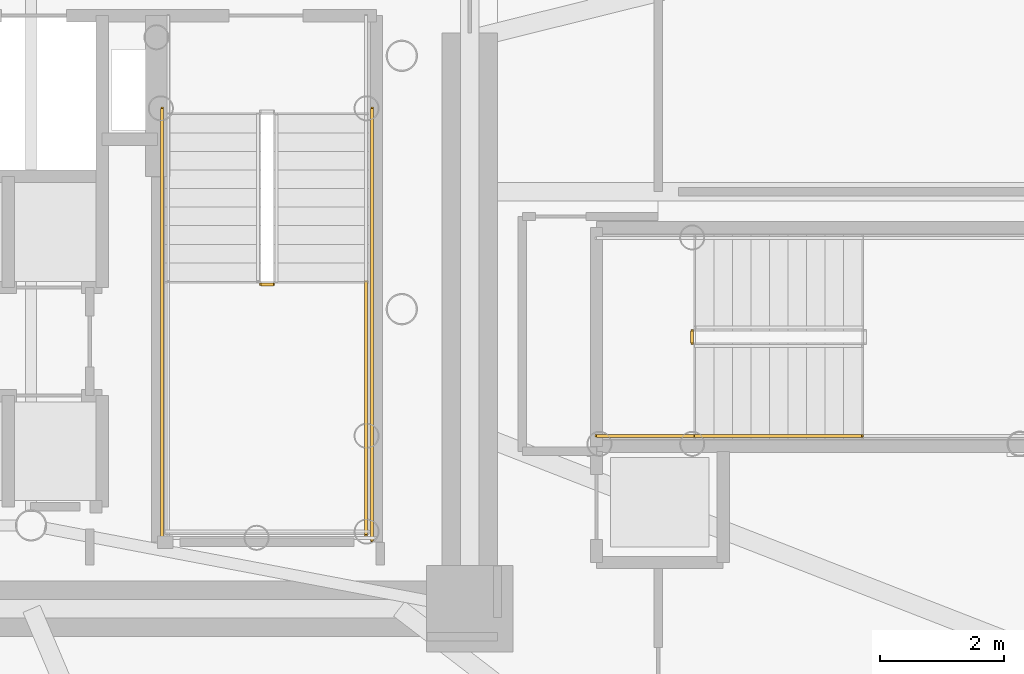
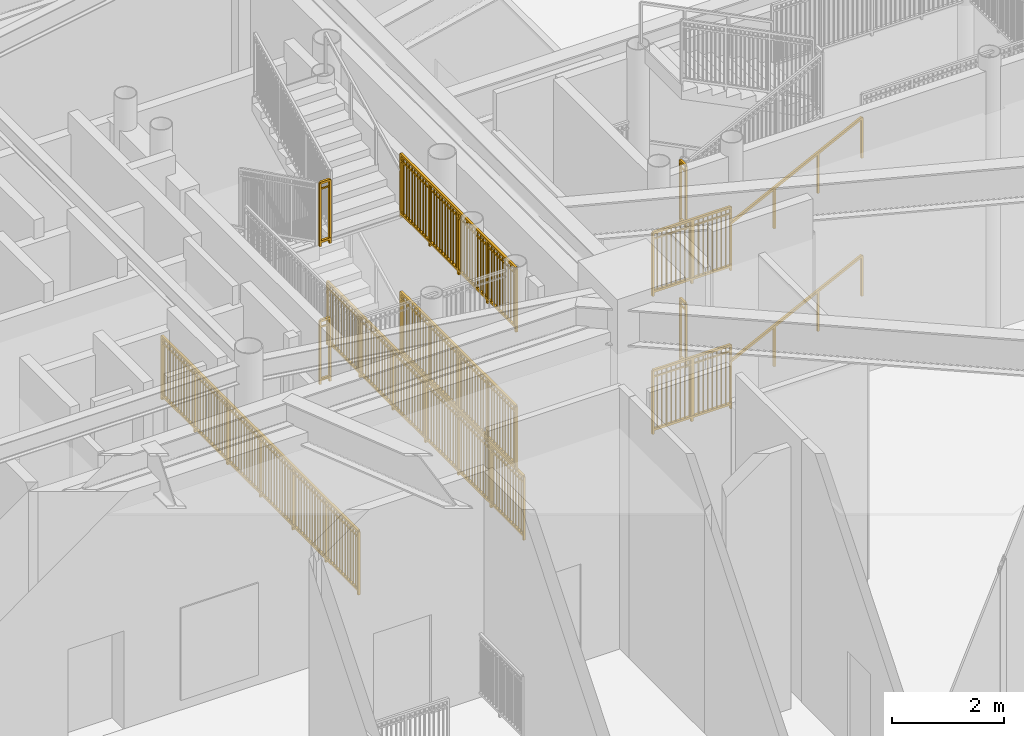
# One storey, part 41 of 46: 12 railings.
"""IFC4 building model written with IfcOpenShell, lengths in metres."""

from ifc_helpers import new_model, si_unit, direction, frame, origin, origin_2d, place, context, subcontext, project, spatial, rectangle, extrude, source, transform, mapped, material, type_object, element, save


model = new_model("IFC4")

# Units and contexts
model_context = context("Model", 3, precision=1e-05, world=origin(), true_north=direction((0.0, 1.0)))
body_context = subcontext(model_context, "Body", "Model", "MODEL_VIEW")
ifc_project = project(units=[si_unit("LENGTHUNIT", "METRE"), si_unit("AREAUNIT", "SQUARE_METRE"), si_unit("VOLUMEUNIT", "CUBIC_METRE"), si_unit("PLANEANGLEUNIT", "RADIAN"), si_unit("MASSUNIT", "GRAM", prefix="KILO")], contexts=[model_context])

# Site, building, storey
site_placement = place(None, origin())
site = spatial("IfcSite", under=ifc_project, at=site_placement, CompositionType="ELEMENT")
building_placement = place(site_placement, origin())
building = spatial("IfcBuilding", under=site, at=building_placement, Name="Linh Dai School and Residence Tower", CompositionType="ELEMENT")
storey_placement = place(building_placement, origin())
storey = spatial("IfcBuildingStorey", under=building, at=storey_placement, Name="L00", CompositionType="ELEMENT", Elevation=0.0)

# Railings
ifc_material_1 = material(Name="Structural Steel S355JR", Category="steel")
railing_type_1 = type_object("IfcRailingType", Name="RL-ST-GUARD-1400", PredefinedType="GUARDRAIL", material=ifc_material_1)
shared_shape_1 = source(origin(), body_context, "Body", "SweptSolid", [
    extrude(rectangle(XDim=0.048095703125, YDim=0.048095703125, at=origin_2d()), frame((0.0, 0.0, 1.3759765625), z_axis=(1.0, 0.0, 0.0), x_axis=(0.0, 1.0, 0.0)), (0.0, 0.0, 1.0), 0.199951171875),
    extrude(rectangle(XDim=0.048095703125, YDim=0.048095703125, at=origin_2d()), frame((0.0, 0.0, 0.10009765625), z_axis=(1.0, 0.0, 0.0), x_axis=(0.0, 1.0, 0.0)), (0.0, 0.0, 1.0), 0.199951171875),
    extrude(rectangle(XDim=0.030029296875, YDim=0.030029296875, at=origin_2d()), frame((0.0, 0.0, 1.239990234375), z_axis=(1.0, 0.0, 0.0), x_axis=(0.0, 1.0, 0.0)), (0.0, 0.0, 1.0), 0.199951171875),
    extrude(rectangle(XDim=0.0419921875, YDim=0.0419921875, at=origin_2d()), origin(), (0.0, 0.0, 1.0), 1.3759765625),
    extrude(rectangle(XDim=0.0419921875, YDim=0.0419921875, at=origin_2d()), frame((0.199951171875, 0.0, 0.0)), (0.0, 0.0, 1.0), 1.3759765625),
])
for number, where, name in (
    (1, (42.570068359375, 25.5, 1.5), "L00 ST2 stair guard 2"),
    (2, (42.570068359375, 25.5, 4.5), "L00 ST2 stair guard 11"),
):
    element("IfcRailing", number, at=place(storey_placement, frame(where)), inside=storey, type_object=railing_type_1, Name=name, PredefinedType="GUARDRAIL", context=body_context, shape_type="MappedRepresentation", body=[
        mapped(shared_shape_1, transform((0.0, 0.0, 0.0), x_axis=(1.0, 0.0, 0.0), y_axis=(0.0, 1.0, 0.0), z_axis=(0.0, 0.0, 1.0), scale=1.0)),
    ])
shared_shape_2 = source(origin(), body_context, "Body", "SweptSolid", [
    extrude(rectangle(XDim=0.048095703125, YDim=0.048095703125, at=origin_2d()), frame((0.0, 0.0, 1.3759765625), z_axis=(0.0, -1.0, 0.0), x_axis=(1.0, 0.0, 0.0)), (0.0, 0.0, 1.0), 7.0),
    extrude(rectangle(XDim=0.048095703125, YDim=0.048095703125, at=origin_2d()), frame((0.0, 0.0, 0.10009765625), z_axis=(0.0, -1.0, 0.0), x_axis=(1.0, 0.0, 0.0)), (0.0, 0.0, 1.0), 7.0),
    extrude(rectangle(XDim=0.030029296875, YDim=0.030029296875, at=origin_2d()), frame((0.0, 0.0, 1.239990234375), z_axis=(0.0, -1.0, 0.0), x_axis=(1.0, 0.0, 0.0)), (0.0, 0.0, 1.0), 7.0),
    extrude(rectangle(XDim=0.02001953125, YDim=0.02001953125, at=origin_2d()), frame((0.0, -0.09716796875, 0.10009765625)), (0.0, 0.0, 1.0), 1.251708984375),
    extrude(rectangle(XDim=0.02001953125, YDim=0.02001953125, at=origin_2d()), frame((0.0, -0.1943359375, 0.10009765625)), (0.0, 0.0, 1.0), 1.251708984375),
    extrude(rectangle(XDim=0.02001953125, YDim=0.02001953125, at=origin_2d()), frame((0.0, -0.291748046875, 0.10009765625)), (0.0, 0.0, 1.0), 1.251708984375),
    extrude(rectangle(XDim=0.02001953125, YDim=0.02001953125, at=origin_2d()), frame((0.0, -0.388916015625, 0.10009765625)), (0.0, 0.0, 1.0), 1.251708984375),
    extrude(rectangle(XDim=0.02001953125, YDim=0.02001953125, at=origin_2d()), frame((0.0, -0.486083984375, 0.10009765625)), (0.0, 0.0, 1.0), 1.251708984375),
    extrude(rectangle(XDim=0.02001953125, YDim=0.02001953125, at=origin_2d()), frame((0.0, -0.583251953125, 0.10009765625)), (0.0, 0.0, 1.0), 1.251708984375),
    extrude(rectangle(XDim=0.02001953125, YDim=0.02001953125, at=origin_2d()), frame((0.0, -0.6806640625, 0.10009765625)), (0.0, 0.0, 1.0), 1.251708984375),
    extrude(rectangle(XDim=0.02001953125, YDim=0.02001953125, at=origin_2d()), frame((0.0, -0.77783203125, 0.10009765625)), (0.0, 0.0, 1.0), 1.251708984375),
    extrude(rectangle(XDim=0.02001953125, YDim=0.02001953125, at=origin_2d()), frame((0.0, -0.875, 0.10009765625)), (0.0, 0.0, 1.0), 1.251708984375),
    extrude(rectangle(XDim=0.02001953125, YDim=0.02001953125, at=origin_2d()), frame((0.0, -0.97216796875, 0.10009765625)), (0.0, 0.0, 1.0), 1.251708984375),
    extrude(rectangle(XDim=0.02001953125, YDim=0.02001953125, at=origin_2d()), frame((0.0, -1.0693359375, 0.10009765625)), (0.0, 0.0, 1.0), 1.251708984375),
    extrude(rectangle(XDim=0.02001953125, YDim=0.02001953125, at=origin_2d()), frame((0.0, -1.263916015625, 0.10009765625)), (0.0, 0.0, 1.0), 1.251708984375),
    extrude(rectangle(XDim=0.02001953125, YDim=0.02001953125, at=origin_2d()), frame((0.0, -1.361083984375, 0.10009765625)), (0.0, 0.0, 1.0), 1.251708984375),
    extrude(rectangle(XDim=0.02001953125, YDim=0.02001953125, at=origin_2d()), frame((0.0, -1.458251953125, 0.10009765625)), (0.0, 0.0, 1.0), 1.251708984375),
    extrude(rectangle(XDim=0.02001953125, YDim=0.02001953125, at=origin_2d()), frame((0.0, -1.5556640625, 0.10009765625)), (0.0, 0.0, 1.0), 1.251708984375),
    extrude(rectangle(XDim=0.02001953125, YDim=0.02001953125, at=origin_2d()), frame((0.0, -1.65283203125, 0.10009765625)), (0.0, 0.0, 1.0), 1.251708984375),
    extrude(rectangle(XDim=0.02001953125, YDim=0.02001953125, at=origin_2d()), frame((0.0, -1.75, 0.10009765625)), (0.0, 0.0, 1.0), 1.251708984375),
    extrude(rectangle(XDim=0.02001953125, YDim=0.02001953125, at=origin_2d()), frame((0.0, -1.84716796875, 0.10009765625)), (0.0, 0.0, 1.0), 1.251708984375),
    extrude(rectangle(XDim=0.02001953125, YDim=0.02001953125, at=origin_2d()), frame((0.0, -1.9443359375, 0.10009765625)), (0.0, 0.0, 1.0), 1.251708984375),
    extrude(rectangle(XDim=0.02001953125, YDim=0.02001953125, at=origin_2d()), frame((0.0, -2.041748046875, 0.10009765625)), (0.0, 0.0, 1.0), 1.251708984375),
    extrude(rectangle(XDim=0.02001953125, YDim=0.02001953125, at=origin_2d()), frame((0.0, -2.138916015625, 0.10009765625)), (0.0, 0.0, 1.0), 1.251708984375),
    extrude(rectangle(XDim=0.02001953125, YDim=0.02001953125, at=origin_2d()), frame((0.0, -2.236083984375, 0.10009765625)), (0.0, 0.0, 1.0), 1.251708984375),
    extrude(rectangle(XDim=0.02001953125, YDim=0.02001953125, at=origin_2d()), frame((0.0, -2.4306640625, 0.10009765625)), (0.0, 0.0, 1.0), 1.251708984375),
    extrude(rectangle(XDim=0.02001953125, YDim=0.02001953125, at=origin_2d()), frame((0.0, -2.52783203125, 0.10009765625)), (0.0, 0.0, 1.0), 1.251708984375),
    extrude(rectangle(XDim=0.02001953125, YDim=0.02001953125, at=origin_2d()), frame((0.0, -2.625, 0.10009765625)), (0.0, 0.0, 1.0), 1.251708984375),
    extrude(rectangle(XDim=0.02001953125, YDim=0.02001953125, at=origin_2d()), frame((0.0, -2.72216796875, 0.10009765625)), (0.0, 0.0, 1.0), 1.251708984375),
    extrude(rectangle(XDim=0.02001953125, YDim=0.02001953125, at=origin_2d()), frame((0.0, -2.8193359375, 0.10009765625)), (0.0, 0.0, 1.0), 1.251708984375),
    extrude(rectangle(XDim=0.02001953125, YDim=0.02001953125, at=origin_2d()), frame((0.0, -2.916748046875, 0.10009765625)), (0.0, 0.0, 1.0), 1.251708984375),
    extrude(rectangle(XDim=0.02001953125, YDim=0.02001953125, at=origin_2d()), frame((0.0, -3.013916015625, 0.10009765625)), (0.0, 0.0, 1.0), 1.251708984375),
    extrude(rectangle(XDim=0.02001953125, YDim=0.02001953125, at=origin_2d()), frame((0.0, -3.111083984375, 0.10009765625)), (0.0, 0.0, 1.0), 1.251708984375),
    extrude(rectangle(XDim=0.02001953125, YDim=0.02001953125, at=origin_2d()), frame((0.0, -3.208251953125, 0.10009765625)), (0.0, 0.0, 1.0), 1.251708984375),
    extrude(rectangle(XDim=0.02001953125, YDim=0.02001953125, at=origin_2d()), frame((0.0, -3.3056640625, 0.10009765625)), (0.0, 0.0, 1.0), 1.251708984375),
    extrude(rectangle(XDim=0.02001953125, YDim=0.02001953125, at=origin_2d()), frame((0.0, -3.40283203125, 0.10009765625)), (0.0, 0.0, 1.0), 1.251708984375),
    extrude(rectangle(XDim=0.02001953125, YDim=0.02001953125, at=origin_2d()), frame((0.0, -3.59716796875, 0.10009765625)), (0.0, 0.0, 1.0), 1.251708984375),
    extrude(rectangle(XDim=0.02001953125, YDim=0.02001953125, at=origin_2d()), frame((0.0, -3.6943359375, 0.10009765625)), (0.0, 0.0, 1.0), 1.251708984375),
    extrude(rectangle(XDim=0.02001953125, YDim=0.02001953125, at=origin_2d()), frame((0.0, -3.791748046875, 0.10009765625)), (0.0, 0.0, 1.0), 1.251708984375),
    extrude(rectangle(XDim=0.02001953125, YDim=0.02001953125, at=origin_2d()), frame((0.0, -3.888916015625, 0.10009765625)), (0.0, 0.0, 1.0), 1.251708984375),
    extrude(rectangle(XDim=0.02001953125, YDim=0.02001953125, at=origin_2d()), frame((0.0, -3.986083984375, 0.10009765625)), (0.0, 0.0, 1.0), 1.251708984375),
    extrude(rectangle(XDim=0.02001953125, YDim=0.02001953125, at=origin_2d()), frame((0.0, -4.083251953125, 0.10009765625)), (0.0, 0.0, 1.0), 1.251708984375),
    extrude(rectangle(XDim=0.02001953125, YDim=0.02001953125, at=origin_2d()), frame((0.0, -4.1806640625, 0.10009765625)), (0.0, 0.0, 1.0), 1.251708984375),
    extrude(rectangle(XDim=0.02001953125, YDim=0.02001953125, at=origin_2d()), frame((0.0, -4.27783203125, 0.10009765625)), (0.0, 0.0, 1.0), 1.251708984375),
    extrude(rectangle(XDim=0.02001953125, YDim=0.02001953125, at=origin_2d()), frame((0.0, -4.375, 0.10009765625)), (0.0, 0.0, 1.0), 1.251708984375),
    extrude(rectangle(XDim=0.02001953125, YDim=0.02001953125, at=origin_2d()), frame((0.0, -4.47216796875, 0.10009765625)), (0.0, 0.0, 1.0), 1.251708984375),
    extrude(rectangle(XDim=0.02001953125, YDim=0.02001953125, at=origin_2d()), frame((0.0, -4.5693359375, 0.10009765625)), (0.0, 0.0, 1.0), 1.251708984375),
    extrude(rectangle(XDim=0.02001953125, YDim=0.02001953125, at=origin_2d()), frame((0.0, -4.763916015625, 0.10009765625)), (0.0, 0.0, 1.0), 1.251708984375),
    extrude(rectangle(XDim=0.02001953125, YDim=0.02001953125, at=origin_2d()), frame((0.0, -4.861083984375, 0.10009765625)), (0.0, 0.0, 1.0), 1.251708984375),
    extrude(rectangle(XDim=0.02001953125, YDim=0.02001953125, at=origin_2d()), frame((0.0, -4.958251953125, 0.10009765625)), (0.0, 0.0, 1.0), 1.251708984375),
    extrude(rectangle(XDim=0.02001953125, YDim=0.02001953125, at=origin_2d()), frame((0.0, -5.0556640625, 0.10009765625)), (0.0, 0.0, 1.0), 1.251708984375),
    extrude(rectangle(XDim=0.02001953125, YDim=0.02001953125, at=origin_2d()), frame((0.0, -5.15283203125, 0.10009765625)), (0.0, 0.0, 1.0), 1.251708984375),
    extrude(rectangle(XDim=0.02001953125, YDim=0.02001953125, at=origin_2d()), frame((0.0, -5.25, 0.10009765625)), (0.0, 0.0, 1.0), 1.251708984375),
    extrude(rectangle(XDim=0.02001953125, YDim=0.02001953125, at=origin_2d()), frame((0.0, -5.34716796875, 0.10009765625)), (0.0, 0.0, 1.0), 1.251708984375),
    extrude(rectangle(XDim=0.02001953125, YDim=0.02001953125, at=origin_2d()), frame((0.0, -5.4443359375, 0.10009765625)), (0.0, 0.0, 1.0), 1.251708984375),
    extrude(rectangle(XDim=0.02001953125, YDim=0.02001953125, at=origin_2d()), frame((0.0, -5.541748046875, 0.10009765625)), (0.0, 0.0, 1.0), 1.251708984375),
    extrude(rectangle(XDim=0.02001953125, YDim=0.02001953125, at=origin_2d()), frame((0.0, -5.638916015625, 0.10009765625)), (0.0, 0.0, 1.0), 1.251708984375),
    extrude(rectangle(XDim=0.02001953125, YDim=0.02001953125, at=origin_2d()), frame((0.0, -5.736083984375, 0.10009765625)), (0.0, 0.0, 1.0), 1.251708984375),
    extrude(rectangle(XDim=0.02001953125, YDim=0.02001953125, at=origin_2d()), frame((0.0, -5.9306640625, 0.10009765625)), (0.0, 0.0, 1.0), 1.251708984375),
    extrude(rectangle(XDim=0.02001953125, YDim=0.02001953125, at=origin_2d()), frame((0.0, -6.02783203125, 0.10009765625)), (0.0, 0.0, 1.0), 1.251708984375),
    extrude(rectangle(XDim=0.02001953125, YDim=0.02001953125, at=origin_2d()), frame((0.0, -6.125, 0.10009765625)), (0.0, 0.0, 1.0), 1.251708984375),
    extrude(rectangle(XDim=0.02001953125, YDim=0.02001953125, at=origin_2d()), frame((0.0, -6.22216796875, 0.10009765625)), (0.0, 0.0, 1.0), 1.251708984375),
    extrude(rectangle(XDim=0.02001953125, YDim=0.02001953125, at=origin_2d()), frame((0.0, -6.3193359375, 0.10009765625)), (0.0, 0.0, 1.0), 1.251708984375),
    extrude(rectangle(XDim=0.02001953125, YDim=0.02001953125, at=origin_2d()), frame((0.0, -6.416748046875, 0.10009765625)), (0.0, 0.0, 1.0), 1.251708984375),
    extrude(rectangle(XDim=0.02001953125, YDim=0.02001953125, at=origin_2d()), frame((0.0, -6.513916015625, 0.10009765625)), (0.0, 0.0, 1.0), 1.251708984375),
    extrude(rectangle(XDim=0.02001953125, YDim=0.02001953125, at=origin_2d()), frame((0.0, -6.611083984375, 0.10009765625)), (0.0, 0.0, 1.0), 1.251708984375),
    extrude(rectangle(XDim=0.02001953125, YDim=0.02001953125, at=origin_2d()), frame((0.0, -6.708251953125, 0.10009765625)), (0.0, 0.0, 1.0), 1.251708984375),
    extrude(rectangle(XDim=0.02001953125, YDim=0.02001953125, at=origin_2d()), frame((0.0, -6.8056640625, 0.10009765625)), (0.0, 0.0, 1.0), 1.251708984375),
    extrude(rectangle(XDim=0.02001953125, YDim=0.02001953125, at=origin_2d()), frame((0.0, -6.90283203125, 0.10009765625)), (0.0, 0.0, 1.0), 1.251708984375),
    extrude(rectangle(XDim=0.0419921875, YDim=0.0419921875, at=origin_2d()), origin(), (0.0, 0.0, 1.0), 1.3759765625),
    extrude(rectangle(XDim=0.0419921875, YDim=0.0419921875, at=origin_2d()), frame((0.0, -1.166748046875, 0.0)), (0.0, 0.0, 1.0), 1.3759765625),
    extrude(rectangle(XDim=0.0419921875, YDim=0.0419921875, at=origin_2d()), frame((0.0, -2.333251953125, 0.0)), (0.0, 0.0, 1.0), 1.3759765625),
    extrude(rectangle(XDim=0.0419921875, YDim=0.0419921875, at=origin_2d()), frame((0.0, -3.5, 0.0)), (0.0, 0.0, 1.0), 1.3759765625),
    extrude(rectangle(XDim=0.0419921875, YDim=0.0419921875, at=origin_2d()), frame((0.0, -4.666748046875, 0.0)), (0.0, 0.0, 1.0), 1.3759765625),
    extrude(rectangle(XDim=0.0419921875, YDim=0.0419921875, at=origin_2d()), frame((0.0, -5.833251953125, 0.0)), (0.0, 0.0, 1.0), 1.3759765625),
    extrude(rectangle(XDim=0.0419921875, YDim=0.0419921875, at=origin_2d()), frame((0.0, -7.0, 0.0)), (0.0, 0.0, 1.0), 1.3759765625),
])
for number, where, name in (
    (3, (40.969970703125, 28.35009765625, 0.0), "L00 ST2 stair guard 19"),
    (4, (44.3701171875, 28.35009765625, 0.0), "L00 ST2 stair guard 20"),
):
    element("IfcRailing", number, at=place(storey_placement, frame(where)), inside=storey, type_object=railing_type_1, Name=name, PredefinedType="GUARDRAIL", context=body_context, shape_type="MappedRepresentation", body=[
        mapped(shared_shape_2, transform((0.0, 0.0, 0.0), x_axis=(1.0, 0.0, 0.0), y_axis=(0.0, 1.0, 0.0), z_axis=(0.0, 0.0, 1.0), scale=1.0)),
    ])
shared_shape_3 = source(origin(), body_context, "Body", "SweptSolid", [
    extrude(rectangle(XDim=0.048095703125, YDim=0.048095703125, at=origin_2d()), frame((0.0, 0.0, 1.3759765625), z_axis=(0.0, -1.0, 0.0), x_axis=(1.0, 0.0, 0.0)), (0.0, 0.0, 1.0), 4.10009765625),
    extrude(rectangle(XDim=0.048095703125, YDim=0.048095703125, at=origin_2d()), frame((0.0, 0.0, 0.10009765625), z_axis=(0.0, -1.0, 0.0), x_axis=(1.0, 0.0, 0.0)), (0.0, 0.0, 1.0), 4.10009765625),
    extrude(rectangle(XDim=0.030029296875, YDim=0.030029296875, at=origin_2d()), frame((0.0, 0.0, 1.239990234375), z_axis=(0.0, -1.0, 0.0), x_axis=(1.0, 0.0, 0.0)), (0.0, 0.0, 1.0), 4.10009765625),
    extrude(rectangle(XDim=0.02001953125, YDim=0.02001953125, at=origin_2d()), frame((0.0, -0.09765625, 0.10009765625)), (0.0, 0.0, 1.0), 1.251708984375),
    extrude(rectangle(XDim=0.02001953125, YDim=0.02001953125, at=origin_2d()), frame((0.0, -0.1953125, 0.10009765625)), (0.0, 0.0, 1.0), 1.251708984375),
    extrude(rectangle(XDim=0.02001953125, YDim=0.02001953125, at=origin_2d()), frame((0.0, -0.29296875, 0.10009765625)), (0.0, 0.0, 1.0), 1.251708984375),
    extrude(rectangle(XDim=0.02001953125, YDim=0.02001953125, at=origin_2d()), frame((0.0, -0.390380859375, 0.10009765625)), (0.0, 0.0, 1.0), 1.251708984375),
    extrude(rectangle(XDim=0.02001953125, YDim=0.02001953125, at=origin_2d()), frame((0.0, -0.488037109375, 0.10009765625)), (0.0, 0.0, 1.0), 1.251708984375),
    extrude(rectangle(XDim=0.02001953125, YDim=0.02001953125, at=origin_2d()), frame((0.0, -0.585693359375, 0.10009765625)), (0.0, 0.0, 1.0), 1.251708984375),
    extrude(rectangle(XDim=0.02001953125, YDim=0.02001953125, at=origin_2d()), frame((0.0, -0.683349609375, 0.10009765625)), (0.0, 0.0, 1.0), 1.251708984375),
    extrude(rectangle(XDim=0.02001953125, YDim=0.02001953125, at=origin_2d()), frame((0.0, -0.781005859375, 0.10009765625)), (0.0, 0.0, 1.0), 1.251708984375),
    extrude(rectangle(XDim=0.02001953125, YDim=0.02001953125, at=origin_2d()), frame((0.0, -0.878662109375, 0.10009765625)), (0.0, 0.0, 1.0), 1.251708984375),
    extrude(rectangle(XDim=0.02001953125, YDim=0.02001953125, at=origin_2d()), frame((0.0, -0.976318359375, 0.10009765625)), (0.0, 0.0, 1.0), 1.251708984375),
    extrude(rectangle(XDim=0.02001953125, YDim=0.02001953125, at=origin_2d()), frame((0.0, -1.07373046875, 0.10009765625)), (0.0, 0.0, 1.0), 1.251708984375),
    extrude(rectangle(XDim=0.02001953125, YDim=0.02001953125, at=origin_2d()), frame((0.0, -1.17138671875, 0.10009765625)), (0.0, 0.0, 1.0), 1.251708984375),
    extrude(rectangle(XDim=0.02001953125, YDim=0.02001953125, at=origin_2d()), frame((0.0, -1.26904296875, 0.10009765625)), (0.0, 0.0, 1.0), 1.251708984375),
    extrude(rectangle(XDim=0.02001953125, YDim=0.02001953125, at=origin_2d()), frame((0.0, -1.36669921875, 0.10009765625)), (0.0, 0.0, 1.0), 1.251708984375),
    extrude(rectangle(XDim=0.02001953125, YDim=0.02001953125, at=origin_2d()), frame((0.0, -1.46435546875, 0.10009765625)), (0.0, 0.0, 1.0), 1.251708984375),
    extrude(rectangle(XDim=0.02001953125, YDim=0.02001953125, at=origin_2d()), frame((0.0, -1.56201171875, 0.10009765625)), (0.0, 0.0, 1.0), 1.251708984375),
    extrude(rectangle(XDim=0.02001953125, YDim=0.02001953125, at=origin_2d()), frame((0.0, -1.65966796875, 0.10009765625)), (0.0, 0.0, 1.0), 1.251708984375),
    extrude(rectangle(XDim=0.02001953125, YDim=0.02001953125, at=origin_2d()), frame((0.0, -1.757080078125, 0.10009765625)), (0.0, 0.0, 1.0), 1.251708984375),
    extrude(rectangle(XDim=0.02001953125, YDim=0.02001953125, at=origin_2d()), frame((0.0, -1.854736328125, 0.10009765625)), (0.0, 0.0, 1.0), 1.251708984375),
    extrude(rectangle(XDim=0.02001953125, YDim=0.02001953125, at=origin_2d()), frame((0.0, -1.952392578125, 0.10009765625)), (0.0, 0.0, 1.0), 1.251708984375),
    extrude(rectangle(XDim=0.02001953125, YDim=0.02001953125, at=origin_2d()), frame((0.0, -2.147705078125, 0.10009765625)), (0.0, 0.0, 1.0), 1.251708984375),
    extrude(rectangle(XDim=0.02001953125, YDim=0.02001953125, at=origin_2d()), frame((0.0, -2.245361328125, 0.10009765625)), (0.0, 0.0, 1.0), 1.251708984375),
    extrude(rectangle(XDim=0.02001953125, YDim=0.02001953125, at=origin_2d()), frame((0.0, -2.343017578125, 0.10009765625)), (0.0, 0.0, 1.0), 1.251708984375),
    extrude(rectangle(XDim=0.02001953125, YDim=0.02001953125, at=origin_2d()), frame((0.0, -2.4404296875, 0.10009765625)), (0.0, 0.0, 1.0), 1.251708984375),
    extrude(rectangle(XDim=0.02001953125, YDim=0.02001953125, at=origin_2d()), frame((0.0, -2.5380859375, 0.10009765625)), (0.0, 0.0, 1.0), 1.251708984375),
    extrude(rectangle(XDim=0.02001953125, YDim=0.02001953125, at=origin_2d()), frame((0.0, -2.6357421875, 0.10009765625)), (0.0, 0.0, 1.0), 1.251708984375),
    extrude(rectangle(XDim=0.02001953125, YDim=0.02001953125, at=origin_2d()), frame((0.0, -2.7333984375, 0.10009765625)), (0.0, 0.0, 1.0), 1.251708984375),
    extrude(rectangle(XDim=0.02001953125, YDim=0.02001953125, at=origin_2d()), frame((0.0, -2.8310546875, 0.10009765625)), (0.0, 0.0, 1.0), 1.251708984375),
    extrude(rectangle(XDim=0.02001953125, YDim=0.02001953125, at=origin_2d()), frame((0.0, -2.9287109375, 0.10009765625)), (0.0, 0.0, 1.0), 1.251708984375),
    extrude(rectangle(XDim=0.02001953125, YDim=0.02001953125, at=origin_2d()), frame((0.0, -3.0263671875, 0.10009765625)), (0.0, 0.0, 1.0), 1.251708984375),
    extrude(rectangle(XDim=0.02001953125, YDim=0.02001953125, at=origin_2d()), frame((0.0, -3.123779296875, 0.10009765625)), (0.0, 0.0, 1.0), 1.251708984375),
    extrude(rectangle(XDim=0.02001953125, YDim=0.02001953125, at=origin_2d()), frame((0.0, -3.221435546875, 0.10009765625)), (0.0, 0.0, 1.0), 1.251708984375),
    extrude(rectangle(XDim=0.02001953125, YDim=0.02001953125, at=origin_2d()), frame((0.0, -3.319091796875, 0.10009765625)), (0.0, 0.0, 1.0), 1.251708984375),
    extrude(rectangle(XDim=0.02001953125, YDim=0.02001953125, at=origin_2d()), frame((0.0, -3.416748046875, 0.10009765625)), (0.0, 0.0, 1.0), 1.251708984375),
    extrude(rectangle(XDim=0.02001953125, YDim=0.02001953125, at=origin_2d()), frame((0.0, -3.514404296875, 0.10009765625)), (0.0, 0.0, 1.0), 1.251708984375),
    extrude(rectangle(XDim=0.02001953125, YDim=0.02001953125, at=origin_2d()), frame((0.0, -3.612060546875, 0.10009765625)), (0.0, 0.0, 1.0), 1.251708984375),
    extrude(rectangle(XDim=0.02001953125, YDim=0.02001953125, at=origin_2d()), frame((0.0, -3.709716796875, 0.10009765625)), (0.0, 0.0, 1.0), 1.251708984375),
    extrude(rectangle(XDim=0.02001953125, YDim=0.02001953125, at=origin_2d()), frame((0.0, -3.80712890625, 0.10009765625)), (0.0, 0.0, 1.0), 1.251708984375),
    extrude(rectangle(XDim=0.02001953125, YDim=0.02001953125, at=origin_2d()), frame((0.0, -3.90478515625, 0.10009765625)), (0.0, 0.0, 1.0), 1.251708984375),
    extrude(rectangle(XDim=0.02001953125, YDim=0.02001953125, at=origin_2d()), frame((0.0, -4.00244140625, 0.10009765625)), (0.0, 0.0, 1.0), 1.251708984375),
    extrude(rectangle(XDim=0.0419921875, YDim=0.0419921875, at=origin_2d()), origin(), (0.0, 0.0, 1.0), 1.3759765625),
    extrude(rectangle(XDim=0.0419921875, YDim=0.0419921875, at=origin_2d()), frame((0.0, -1.02490234375, 0.0)), (0.0, 0.0, 1.0), 1.3759765625),
    extrude(rectangle(XDim=0.0419921875, YDim=0.0419921875, at=origin_2d()), frame((0.0, -2.050048828125, 0.0)), (0.0, 0.0, 1.0), 1.3759765625),
    extrude(rectangle(XDim=0.0419921875, YDim=0.0419921875, at=origin_2d()), frame((0.0, -3.0751953125, 0.0)), (0.0, 0.0, 1.0), 1.3759765625),
    extrude(rectangle(XDim=0.0419921875, YDim=0.0419921875, at=origin_2d()), frame((0.0, -4.10009765625, 0.0)), (0.0, 0.0, 1.0), 1.3759765625),
])
for number, where, name in (
    (5, (44.27001953125, 25.550048828125, 1.5), "L00 ST2 stair guard 4"),
    (6, (44.27001953125, 25.550048828125, 4.5), "L00 ST2 stair guard 13"),
):
    element("IfcRailing", number, at=place(storey_placement, frame(where)), inside=storey, type_object=railing_type_1, Name=name, PredefinedType="GUARDRAIL", context=body_context, shape_type="MappedRepresentation", body=[
        mapped(shared_shape_3, transform((0.0, 0.0, 0.0), x_axis=(1.0, 0.0, 0.0), y_axis=(0.0, 1.0, 0.0), z_axis=(0.0, 0.0, 1.0), scale=1.0)),
    ])
ifc_material_2 = material(Name="Brushed Stainless Steel Handrail", Category="steel")
railing_type_2 = type_object("IfcRailingType", Name="RL-ST-HANDRAIL-900", PredefinedType="HANDRAIL", material=ifc_material_2)
shared_shape_4 = source(origin(), body_context, "Body", "SweptSolid", [
    extrude(rectangle(XDim=0.048095703125, YDim=0.048095703125, at=origin_2d()), frame((0.0, 0.0, 0.8759765625), z_axis=(0.894411015155, 0.0, 0.447245945728), x_axis=(0.0, 1.0, 0.0)), (0.0, 0.0, 1.0), 3.018798828125),
    extrude(rectangle(XDim=0.0419921875, YDim=0.0419921875, at=origin_2d()), origin(), (0.0, 0.0, 1.0), 0.8759765625),
    extrude(rectangle(XDim=0.0419921875, YDim=0.0419921875, at=origin_2d()), frame((0.89990234375, 0.0, 0.449951171875)), (0.0, 0.0, 1.0), 0.8759765625),
    extrude(rectangle(XDim=0.0419921875, YDim=0.0419921875, at=origin_2d()), frame((1.800048828125, 0.0, 0.900146484375)), (0.0, 0.0, 1.0), 0.8759765625),
    extrude(rectangle(XDim=0.0419921875, YDim=0.0419921875, at=origin_2d()), frame((2.699951171875, 0.0, 1.35009765625)), (0.0, 0.0, 1.0), 0.8759765625),
])
for number, where, name in (
    (7, (49.60009765625, 23.050048828125, 0.14990234375), "L00 STS2 stair handrail 1"),
    (8, (49.60009765625, 23.050048828125, 3.14990234375), "L00 STS2 stair handrail 3"),
):
    element("IfcRailing", number, at=place(storey_placement, frame(where)), inside=storey, type_object=railing_type_2, Name=name, PredefinedType="HANDRAIL", context=body_context, shape_type="MappedRepresentation", body=[
        mapped(shared_shape_4, transform((0.0, 0.0, 0.0), x_axis=(1.0, 0.0, 0.0), y_axis=(0.0, 1.0, 0.0), z_axis=(0.0, 0.0, 1.0), scale=1.0)),
    ])
shared_shape_5 = source(origin(), body_context, "Body", "SweptSolid", [
    extrude(rectangle(XDim=0.048095703125, YDim=0.048095703125, at=origin_2d()), frame((0.0, 0.0, 1.3759765625), z_axis=(0.0, 1.0, 0.0), x_axis=(-1.0, 0.0, 0.0)), (0.0, 0.0, 1.0), 0.199951171875),
    extrude(rectangle(XDim=0.048095703125, YDim=0.048095703125, at=origin_2d()), frame((0.0, 0.0, 0.10009765625), z_axis=(0.0, 1.0, 0.0), x_axis=(-1.0, 0.0, 0.0)), (0.0, 0.0, 1.0), 0.199951171875),
    extrude(rectangle(XDim=0.030029296875, YDim=0.030029296875, at=origin_2d()), frame((0.0, 0.0, 1.239990234375), z_axis=(0.0, 1.0, 0.0), x_axis=(-1.0, 0.0, 0.0)), (0.0, 0.0, 1.0), 0.199951171875),
    extrude(rectangle(XDim=0.0419921875, YDim=0.0419921875, at=origin_2d()), origin(), (0.0, 0.0, 1.0), 1.3759765625),
    extrude(rectangle(XDim=0.0419921875, YDim=0.0419921875, at=origin_2d()), frame((0.0, 0.199951171875, 0.0)), (0.0, 0.0, 1.0), 1.3759765625),
])
for number, where, name in (
    (9, (49.550048828125, 24.550048828125, 3.0), "L00 STS2 stair guard 7"),
    (10, (49.550048828125, 24.550048828125, 0.0), "L00 STS2 stair guard 16"),
):
    element("IfcRailing", number, at=place(storey_placement, frame(where)), inside=storey, type_object=railing_type_1, Name=name, PredefinedType="GUARDRAIL", context=body_context, shape_type="MappedRepresentation", body=[
        mapped(shared_shape_5, transform((0.0, 0.0, 0.0), x_axis=(1.0, 0.0, 0.0), y_axis=(0.0, 1.0, 0.0), z_axis=(0.0, 0.0, 1.0), scale=1.0)),
    ])
shared_shape_6 = source(origin(), body_context, "Body", "SweptSolid", [
    extrude(rectangle(XDim=0.048095703125, YDim=0.048095703125, at=origin_2d()), frame((0.0, 0.0, 1.3759765625), z_axis=(1.0, 0.0, 0.0), x_axis=(0.0, 1.0, 0.0)), (0.0, 0.0, 1.0), 1.60009765625),
    extrude(rectangle(XDim=0.048095703125, YDim=0.048095703125, at=origin_2d()), frame((0.0, 0.0, 0.10009765625), z_axis=(1.0, 0.0, 0.0), x_axis=(0.0, 1.0, 0.0)), (0.0, 0.0, 1.0), 1.60009765625),
    extrude(rectangle(XDim=0.030029296875, YDim=0.030029296875, at=origin_2d()), frame((0.0, 0.0, 1.239990234375), z_axis=(1.0, 0.0, 0.0), x_axis=(0.0, 1.0, 0.0)), (0.0, 0.0, 1.0), 1.60009765625),
    extrude(rectangle(XDim=0.02001953125, YDim=0.02001953125, at=origin_2d()), frame((0.09423828125, 0.0, 0.10009765625)), (0.0, 0.0, 1.0), 1.251708984375),
    extrude(rectangle(XDim=0.02001953125, YDim=0.02001953125, at=origin_2d()), frame((0.188232421875, 0.0, 0.10009765625)), (0.0, 0.0, 1.0), 1.251708984375),
    extrude(rectangle(XDim=0.02001953125, YDim=0.02001953125, at=origin_2d()), frame((0.282470703125, 0.0, 0.10009765625)), (0.0, 0.0, 1.0), 1.251708984375),
    extrude(rectangle(XDim=0.02001953125, YDim=0.02001953125, at=origin_2d()), frame((0.37646484375, 0.0, 0.10009765625)), (0.0, 0.0, 1.0), 1.251708984375),
    extrude(rectangle(XDim=0.02001953125, YDim=0.02001953125, at=origin_2d()), frame((0.470703125, 0.0, 0.10009765625)), (0.0, 0.0, 1.0), 1.251708984375),
    extrude(rectangle(XDim=0.02001953125, YDim=0.02001953125, at=origin_2d()), frame((0.564697265625, 0.0, 0.10009765625)), (0.0, 0.0, 1.0), 1.251708984375),
    extrude(rectangle(XDim=0.02001953125, YDim=0.02001953125, at=origin_2d()), frame((0.658935546875, 0.0, 0.10009765625)), (0.0, 0.0, 1.0), 1.251708984375),
    extrude(rectangle(XDim=0.02001953125, YDim=0.02001953125, at=origin_2d()), frame((0.7529296875, 0.0, 0.10009765625)), (0.0, 0.0, 1.0), 1.251708984375),
    extrude(rectangle(XDim=0.02001953125, YDim=0.02001953125, at=origin_2d()), frame((0.84716796875, 0.0, 0.10009765625)), (0.0, 0.0, 1.0), 1.251708984375),
    extrude(rectangle(XDim=0.02001953125, YDim=0.02001953125, at=origin_2d()), frame((0.941162109375, 0.0, 0.10009765625)), (0.0, 0.0, 1.0), 1.251708984375),
    extrude(rectangle(XDim=0.02001953125, YDim=0.02001953125, at=origin_2d()), frame((1.035400390625, 0.0, 0.10009765625)), (0.0, 0.0, 1.0), 1.251708984375),
    extrude(rectangle(XDim=0.02001953125, YDim=0.02001953125, at=origin_2d()), frame((1.12939453125, 0.0, 0.10009765625)), (0.0, 0.0, 1.0), 1.251708984375),
    extrude(rectangle(XDim=0.02001953125, YDim=0.02001953125, at=origin_2d()), frame((1.2236328125, 0.0, 0.10009765625)), (0.0, 0.0, 1.0), 1.251708984375),
    extrude(rectangle(XDim=0.02001953125, YDim=0.02001953125, at=origin_2d()), frame((1.317626953125, 0.0, 0.10009765625)), (0.0, 0.0, 1.0), 1.251708984375),
    extrude(rectangle(XDim=0.02001953125, YDim=0.02001953125, at=origin_2d()), frame((1.411865234375, 0.0, 0.10009765625)), (0.0, 0.0, 1.0), 1.251708984375),
    extrude(rectangle(XDim=0.02001953125, YDim=0.02001953125, at=origin_2d()), frame((1.505859375, 0.0, 0.10009765625)), (0.0, 0.0, 1.0), 1.251708984375),
    extrude(rectangle(XDim=0.0419921875, YDim=0.0419921875, at=origin_2d()), origin(), (0.0, 0.0, 1.0), 1.3759765625),
    extrude(rectangle(XDim=0.0419921875, YDim=0.0419921875, at=origin_2d()), frame((0.800048828125, 0.0, 0.0)), (0.0, 0.0, 1.0), 1.3759765625),
    extrude(rectangle(XDim=0.0419921875, YDim=0.0419921875, at=origin_2d()), frame((1.60009765625, 0.0, 0.0)), (0.0, 0.0, 1.0), 1.3759765625),
])
for number, where, name in (
    (11, (48.0, 23.050048828125, 3.0), "L00 STS2 stair guard 8"),
    (12, (48.0, 23.050048828125, 0.0), "L00 STS2 stair guard 17"),
):
    element("IfcRailing", number, at=place(storey_placement, frame(where)), inside=storey, type_object=railing_type_1, Name=name, PredefinedType="GUARDRAIL", context=body_context, shape_type="MappedRepresentation", body=[
        mapped(shared_shape_6, transform((0.0, 0.0, 0.0), x_axis=(1.0, 0.0, 0.0), y_axis=(0.0, 1.0, 0.0), z_axis=(0.0, 0.0, 1.0), scale=1.0)),
    ])

save(model, "model.ifc")
